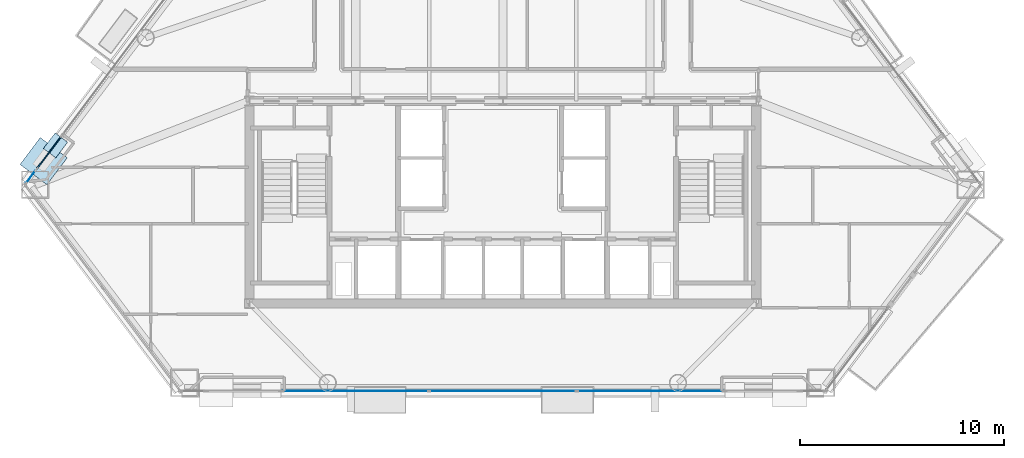
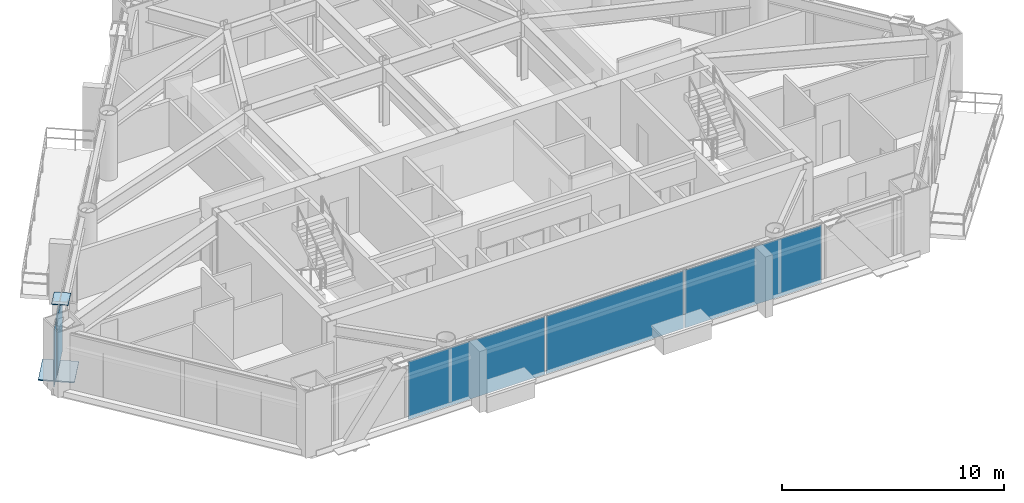
# One storey, part 6 of 14: 7 plates, 3 elements without a shape of their own.
"""IFC4 building model written with IfcOpenShell, lengths in metres."""

from ifc_helpers import new_model, si_unit, direction, frame, origin, origin_2d, place, context, subcontext, project, spatial, rectangle, extrude, source, transform, mapped, material, layer, layer_set, type_object, type_shapes, element, aggregate, save


model = new_model("IFC4")

# Units and contexts
model_context = context("Model", 3, precision=1e-05, world=origin(), true_north=direction((0.0, 1.0)))
body_context = subcontext(model_context, "Body", "Model", "MODEL_VIEW")
ifc_project = project(units=[si_unit("LENGTHUNIT", "METRE"), si_unit("AREAUNIT", "SQUARE_METRE"), si_unit("VOLUMEUNIT", "CUBIC_METRE"), si_unit("PLANEANGLEUNIT", "RADIAN"), si_unit("MASSUNIT", "GRAM", prefix="KILO")], contexts=[model_context])

# Site, building, storey
site_placement = place(None, origin())
site = spatial("IfcSite", under=ifc_project, at=site_placement, CompositionType="ELEMENT")
building_placement = place(site_placement, origin())
building = spatial("IfcBuilding", under=site, at=building_placement, Name="Talgorran Terracotta Tower", CompositionType="ELEMENT")
storey_placement = place(building_placement, frame((0.0, 0.0, 56.699951171875)))
storey = spatial("IfcBuildingStorey", under=building, at=storey_placement, Name="L14", CompositionType="ELEMENT", Elevation=56.699951171875)

# Plates
ifc_material_1 = material(Name="Steel Grade 350 (350L0)", Category="steel")
ifc_layer_1 = layer(ifc_material_1, 0.0400390625, Name="PL_CAP_MN05")
ifc_layer_set_1 = layer_set([ifc_layer_1], Name="Steel Grade 350 (350L0)")
plate_type_1 = type_object("IfcPlateType", Name="PL_CAP_MN05", PredefinedType="USERDEFINED", material=ifc_layer_set_1)
plate_1_placement = place(storey_placement, frame((-21.889892578125, -6.365478515625, 3.2900390625), z_axis=(0.0, 0.0, 1.0), x_axis=(0.6013967761, 0.798950510167, 0.0)))
element("IfcPlate", 1, at=plate_1_placement, inside=storey, type_object=plate_type_1, Name="L14 Diagonal Frame End Cap NWL Top", ObjectType="CAP PLATE", PredefinedType="USERDEFINED", context=body_context, shape_type="SweptSolid", body=[
    extrude(rectangle(XDim=0.9599609375, YDim=0.760009765625, at=origin_2d()), origin(), (0.0, 0.0, 1.0), 0.0400390625),
])
ifc_layer_2 = layer(ifc_material_1, 0.06005859375, Name="PL_NODE_MN01")
ifc_layer_set_2 = layer_set([ifc_layer_2], Name="Steel Grade 350 (350L0)")
plate_type_2 = type_object("IfcPlateType", Name="PL_NODE_MN01", PredefinedType="USERDEFINED", material=ifc_layer_set_2)
plate_2_placement = place(storey_placement, frame((-22.471435546875, -7.13818359375, -0.02001953125), z_axis=(0.0, 0.0, 1.0), x_axis=(0.6013967761, 0.798950510167, 0.0)))
element("IfcPlate", 2, at=plate_2_placement, inside=storey, type_object=plate_type_2, Name="L14 Diagonal Frame End Cap NWL Bot", ObjectType="NODE PLATE", PredefinedType="USERDEFINED", context=body_context, shape_type="SweptSolid", body=[
    extrude(rectangle(XDim=1.64990234375, YDim=1.64990234375, at=origin_2d()), origin(), (0.0, 0.0, 1.0), 0.06005859375),
])

# Curtain wall, plates
ifc_material_2 = material(Name="Unitised Low-E Double Glazing", Category="glass")
ifc_layer_3 = layer(ifc_material_2, 0.199951171875, Name="CW_SYS2_RES_LOW")
ifc_layer_set_3 = layer_set([ifc_layer_3], Name="Unitised Low-E Double Glazing")
curtain_wall_type = type_object("IfcCurtainWallType", Name="CW_SYS2_RES_LOW", PredefinedType="NOTDEFINED", material=ifc_layer_set_3)
curtain_wall_1_placement = place(storey_placement, origin())
curtain_wall_1 = element("IfcCurtainWall", 3, at=curtain_wall_1_placement, inside=storey, type_object=curtain_wall_type, Name="CW-L14-F1C", PredefinedType="NOTDEFINED")
ifc_material_3 = material(Name="Low-E Laminated Vision Glass", Category="glass")
ifc_layer_4 = layer(ifc_material_3, 0.028076171875, Name="PLT_VISION_28")
ifc_layer_set_4 = layer_set([ifc_layer_4], Name="Low-E Laminated Vision Glass")
plate_type_3 = type_object("IfcPlateType", Name="PLT_VISION_28", PredefinedType="CURTAIN_PANEL", material=ifc_layer_set_4)
shared_shape_1 = source(origin(), body_context, "Body", "SweptSolid", [
    extrude(rectangle(XDim=7.12255859375, YDim=0.028076171875, at=origin_2d()), origin(), (0.0, 0.0, 1.0), 3.18994140625),
])
plate_3_placement = place(storey_placement, frame((-7.203857421875, -18.39111328125, 0.065185546875), z_axis=(0.0, 0.0, 1.0), x_axis=(1.0, 0.0, 0.0)))
plate_3 = element("IfcPlate", 4, at=plate_3_placement, type_object=plate_type_3, Name="CW-L14-1C panel 1.1", PredefinedType="CURTAIN_PANEL", context=body_context, shape_type="MappedRepresentation", body=[
    mapped(shared_shape_1, transform((0.0, 0.0, 0.0), scale=1.0)),
])
plate_4_placement = place(storey_placement, frame((7.203857421875, -18.39111328125, 0.065185546875), z_axis=(0.0, 0.0, 1.0), x_axis=(1.0, 0.0, 0.0)))
plate_4 = element("IfcPlate", 5, at=plate_4_placement, type_object=plate_type_3, Name="CW-L14-1C panel 3.1", PredefinedType="CURTAIN_PANEL", context=body_context, shape_type="MappedRepresentation", body=[
    mapped(shared_shape_1, transform((0.0, 0.0, 0.0), scale=1.0)),
])
shared_shape_2 = source(origin(), body_context, "Body", "SweptSolid", [
    extrude(rectangle(XDim=7.155029296875, YDim=0.028076171875, at=origin_2d()), origin(), (0.0, 0.0, 1.0), 3.18994140625),
])
plate_5_placement = place(storey_placement, frame((0.0, -18.39111328125, 0.065185546875), z_axis=(0.0, 0.0, 1.0), x_axis=(1.0, 0.0, 0.0)))
plate_5 = element("IfcPlate", 6, at=plate_5_placement, type_object=plate_type_3, Name="CW-L14-1C panel 2.1", PredefinedType="CURTAIN_PANEL", context=body_context, shape_type="MappedRepresentation", body=[
    mapped(shared_shape_2, transform((0.0, 0.0, 0.0), scale=1.0)),
])
aggregate(curtain_wall_1, [plate_3, plate_5, plate_4])

# Curtain wall, plate
curtain_wall_2_placement = place(storey_placement, origin())
curtain_wall_2 = element("IfcCurtainWall", 7, at=curtain_wall_2_placement, inside=storey, type_object=curtain_wall_type, Name="CW-L14-F61C", PredefinedType="NOTDEFINED")
shared_shape_3 = source(origin(), body_context, "Body", "SweptSolid", [
    extrude(rectangle(XDim=0.7490234375, YDim=0.028076171875, at=origin_2d()), origin(), (0.0, 0.0, 1.0), 3.18994140625),
])
type_shapes(plate_type_3, [shared_shape_1, shared_shape_2, shared_shape_3])
plate_6_placement = place(storey_placement, frame((-23.09765625, -7.903564453125, 0.065185546875), z_axis=(0.0, 0.0, 1.0), x_axis=(-0.601418977131, -0.798933798225, 0.0)))
plate_6 = element("IfcPlate", 8, at=plate_6_placement, type_object=plate_type_3, Name="CW-L14-61C panel 1.1", PredefinedType="CURTAIN_PANEL", context=body_context, shape_type="MappedRepresentation", body=[
    mapped(shared_shape_3, transform((0.0, 0.0, 0.0), scale=1.0)),
])
aggregate(curtain_wall_2, [plate_6])

curtain_wall_3_placement = place(storey_placement, origin())
curtain_wall_3 = element("IfcCurtainWall", 9, at=curtain_wall_3_placement, inside=storey, type_object=curtain_wall_type, Name="CW-L14-F61B", PredefinedType="NOTDEFINED")
ifc_material_4 = material(Name="Terracotta Insulated Spandrel", Category="masonry")
ifc_layer_5 = layer(ifc_material_4, 0.06494140625, Name="PLT_SPANDREL_TERRA")
ifc_layer_set_5 = layer_set([ifc_layer_5], Name="Terracotta Insulated Spandrel")
plate_type_4 = type_object("IfcPlateType", Name="PLT_SPANDREL_TERRA", PredefinedType="SHEET", material=ifc_layer_set_5)
shared_shape_4 = source(origin(), body_context, "Body", "SweptSolid", [
    extrude(rectangle(XDim=1.955322265625, YDim=0.06494140625, at=origin_2d()), origin(), (0.0, 0.0, 1.0), 3.18994140625),
])
type_shapes(plate_type_4, [shared_shape_4])
plate_7_placement = place(storey_placement, frame((-22.2001953125, -6.71142578125, 0.065185546875), z_axis=(0.0, 0.0, 1.0), x_axis=(-0.601441486788, -0.798916852976, 0.0)))
plate_7 = element("IfcPlate", 10, at=plate_7_placement, type_object=plate_type_4, Name="CW-L14-61B panel 1.1", PredefinedType="CURTAIN_PANEL", context=body_context, shape_type="MappedRepresentation", body=[
    mapped(shared_shape_4, transform((0.0, 0.0, 0.0), scale=1.0)),
])
aggregate(curtain_wall_3, [plate_7])

save(model, "model.ifc")
